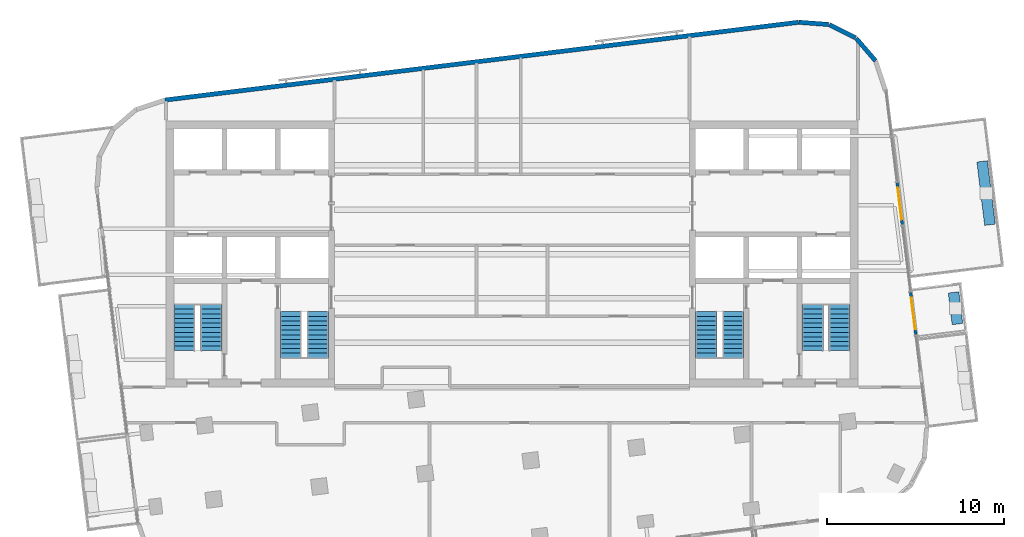
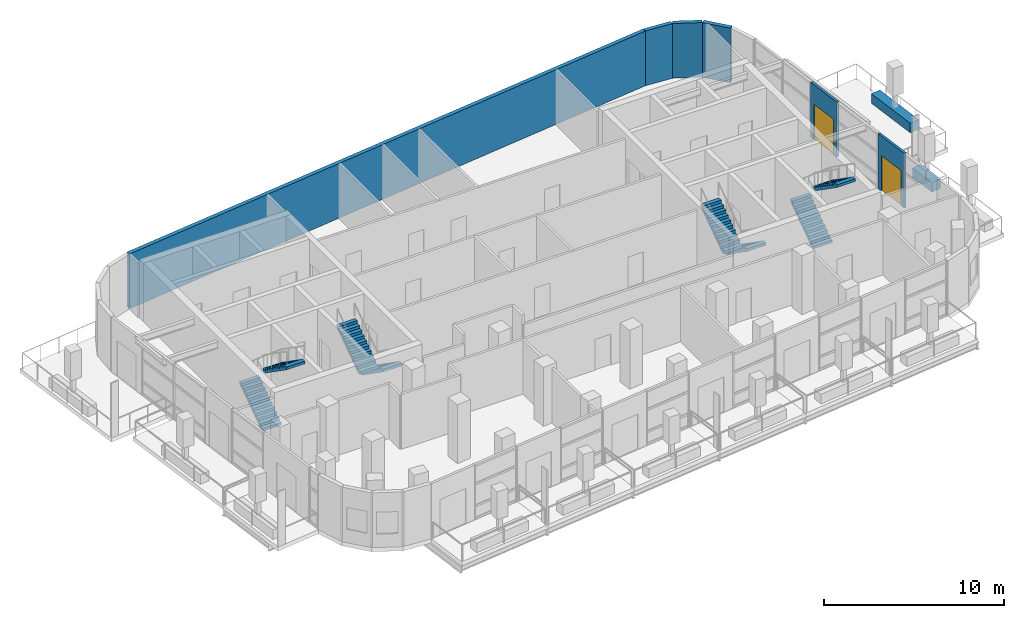
# One storey, part 10 of 14: 8 stair flights, 8 walls, 2 doors, 2 openings, 4 elements without a shape of their own.
"""IFC4 building model written with IfcOpenShell, lengths in metres."""

from ifc_helpers import new_model, si_unit, direction, frame, frame_2d, origin, place, context, subcontext, project, spatial, polyline, rectangle, outline, extrude, material, layer, layer_set, type_object, element, fill, aggregate, save


model = new_model("IFC4")

# Units and contexts
model_context = context("Model", 3, precision=1e-05, world=origin(), true_north=direction((0.0, 1.0)))
body_context = subcontext(model_context, "Body", "Model", "MODEL_VIEW")
ifc_project = project(units=[si_unit("LENGTHUNIT", "METRE"), si_unit("AREAUNIT", "SQUARE_METRE"), si_unit("VOLUMEUNIT", "CUBIC_METRE"), si_unit("PLANEANGLEUNIT", "RADIAN"), si_unit("MASSUNIT", "GRAM", prefix="KILO")], contexts=[model_context])

# Site, building, storey
site_placement = place(None, origin())
site = spatial("IfcSite", under=ifc_project, at=site_placement, CompositionType="ELEMENT")
building_placement = place(site_placement, origin())
building = spatial("IfcBuilding", under=site, at=building_placement, Name="Torana Hotel and Residences", CompositionType="ELEMENT")
storey_placement = place(building_placement, frame((0.0, 0.0, 318.60009765625)))
storey = spatial("IfcBuildingStorey", under=building, at=storey_placement, Name="L84", CompositionType="ELEMENT", Elevation=318.60009765625)

# Walls
ifc_material_1 = material(Name="Black aluminium composite panel", Category="aluminium")
ifc_layer_1 = layer(ifc_material_1, 0.00390625, Name="Cladding", Category="cladding")
ifc_material_2 = material(Name="Ventilated air cavity")
ifc_layer_2 = layer(ifc_material_2, 0.0400390625, Name="Ventilated cavity", Category="cavity")
ifc_material_3 = material(Name="Mineral wool insulation")
ifc_layer_3 = layer(ifc_material_3, 0.090087890625, Name="Insulation", Category="insulation")
ifc_material_4 = material(Name="Steel S280GD", Category="steel")
ifc_layer_4 = layer(ifc_material_4, 0.092041015625, Name="Steel stud frame", Category="structure")
ifc_material_5 = material(Name="Fire rated plasterboard")
ifc_layer_5 = layer(ifc_material_5, 0.011962890625, Name="Inner board", Category="finish")
ifc_layer_6 = layer(ifc_material_5, 0.011962890625, Name="Second board", Category="finish")
ifc_layer_set_1 = layer_set([ifc_layer_1, ifc_layer_2, ifc_layer_3, ifc_layer_4, ifc_layer_5, ifc_layer_6], Name="EW1 EXTERNAL WALL BLACK METAL CLAD 250")
wall_type_1 = type_object("IfcWallType", Name="EW1 EXTERNAL WALL BLACK METAL CLAD 250", PredefinedType="SOLIDWALL", material=ifc_layer_set_1)
for number, where, z_axis, x_axis, name in (
    (1, (20.4853515625, 3.39404296875, 0.0), (0.0, 0.0, 1.0), (-0.652755886531, 0.757568315466, 0.0), "External wall L84 e0.1"),
    (2, (19.36572265625, 4.678955078125, 0.0), (0.0, 0.0, 1.0), (-0.893007580524, 0.450041621549, 0.0), "External wall L84 e0.2"),
):
    element("IfcWall", number, at=place(storey_placement, frame(where, z_axis=z_axis, x_axis=x_axis)), inside=storey, type_object=wall_type_1, Name=name, PredefinedType="SOLIDWALL", context=body_context, shape_type="SweptSolid", body=[
        extrude(rectangle(XDim=1.65625, YDim=0.25, at=frame_2d((0.828125, 0.0))), origin(), (0.0, 0.0, 1.0), 3.719970703125),
    ])
wall_1_placement = place(storey_placement, frame((17.839599609375, 5.4375, 0.0), z_axis=(0.0, 0.0, 1.0), x_axis=(-0.997254267475, 0.074053534713, 0.0)))
element("IfcWall", 3, at=wall_1_placement, inside=storey, type_object=wall_type_1, Name="External wall L84 e0.3", PredefinedType="SOLIDWALL", context=body_context, shape_type="SweptSolid", body=[
    extrude(rectangle(XDim=1.681396484375, YDim=0.25, at=frame_2d((0.8408203125, 0.0))), origin(), (0.0, 0.0, 1.0), 3.719970703125),
])
ifc_material_6 = material(Name="Concrete C40/50 precast", Category="concrete")
ifc_layer_7 = layer(ifc_material_6, 0.10009765625, Name="Perforated block", Category="cladding")
ifc_material_7 = material(Name="Air cavity")
ifc_layer_8 = layer(ifc_material_7, 0.030029296875, Name="Cavity", Category="cavity")
ifc_material_8 = material(Name="Concrete C40/50", Category="concrete")
ifc_layer_9 = layer(ifc_material_8, 0.10009765625, Name="Wall", Category="structure")
ifc_material_9 = material(Name="Plaster and paint")
ifc_layer_10 = layer(ifc_material_9, 0.02001953125, Name="Inner finish", Category="finish")
ifc_layer_set_2 = layer_set([ifc_layer_7, ifc_layer_8, ifc_layer_9, ifc_layer_10], Name="EW2 PERFORATED BLOCK SCREEN WALL 250")
wall_type_2 = type_object("IfcWallType", Name="EW2 PERFORATED BLOCK SCREEN WALL 250", PredefinedType="SOLIDWALL", material=ifc_layer_set_2)
wall_2_placement = place(storey_placement, frame((16.13818359375, 5.561279296875, 0.0), z_axis=(0.0, 0.0, 1.0), x_axis=(-0.992546726876, -0.121864658405, 0.0)))
element("IfcWall", 4, at=wall_2_placement, inside=storey, type_object=wall_type_2, Name="External wall L84 e0.4", PredefinedType="SOLIDWALL", context=body_context, shape_type="SweptSolid", body=[
    extrude(rectangle(XDim=35.95068359375, YDim=0.25, at=frame_2d((17.975341796875, 0.0))), origin(), (0.0, 0.0, 1.0), 3.719970703125),
])

# Wall, opening, door
ifc_material_10 = material(Name="Dark glass screen in aluminium frame", Category="aluminium")
ifc_layer_11 = layer(ifc_material_10, 0.14990234375)
ifc_layer_set_3 = layer_set([ifc_layer_11], Name="GS1 GLAZED DOOR SCREEN 150")
wall_type_3 = type_object("IfcWallType", Name="GS1 GLAZED DOOR SCREEN 150", PredefinedType="USERDEFINED", material=ifc_layer_set_3)
wall_3_placement = place(storey_placement, frame((22.757080078125, -12.0380859375, 0.0), z_axis=(0.0, 0.0, 1.0), x_axis=(-0.121868445399, 0.992546261902, 0.0)))
wall_3 = element("IfcWall", 5, at=wall_3_placement, inside=storey, type_object=wall_type_3, Name="Glazed door screen L84", ObjectType="GLAZED SCREEN", PredefinedType="USERDEFINED", context=body_context, shape_type="SweptSolid", body=[
    extrude(rectangle(XDim=2.39990234375, YDim=0.14990234375, at=frame_2d((1.199951171875, 0.0))), origin(), (0.0, 0.0, 1.0), 3.719970703125),
])
opening_1_placement = place(wall_3_placement, frame((0.300048828125, 0.0, 0.0)))
opening_1 = element("IfcOpeningElement", 6, at=opening_1_placement, cuts=wall_3, Name="Opening L84-E11", PredefinedType="OPENING", context=body_context, shape_type="SweptSolid", body=[
    extrude(rectangle(XDim=1.800048828125, YDim=2.39990234375, at=frame_2d((0.89990234375, 1.199951171875))), frame((0.0, 0.0849609375, 0.0), z_axis=(0.0, -1.0, 0.0), x_axis=(1.0, 0.0, 0.0)), (0.0, 0.0, 1.0), 0.169921875),
])
ifc_material_11 = material(Name="Dark glass in black aluminium frame", Category="aluminium")
door_type = type_object("IfcDoorType", Name="DB1 BALCONY DOOR 1800x2400", OperationType="DOUBLE_DOOR_SINGLE_SWING", PredefinedType="DOOR", material=ifc_material_11)
door_1_placement = place(opening_1_placement, origin())
door_1 = element("IfcDoor", 7, at=door_1_placement, inside=storey, type_object=door_type, Name="Balcony door L84", OperationType="DOUBLE_DOOR_SINGLE_SWING", OverallHeight=2.39990234375, OverallWidth=1.800048828125, PredefinedType="DOOR", context=body_context, shape_type="SweptSolid", body=[
    extrude(rectangle(XDim=1.800048828125, YDim=2.39990234375, at=frame_2d((0.89990234375, 1.199951171875))), frame((0.0, 0.02490234375, 0.0), z_axis=(0.0, -1.0, 0.0), x_axis=(1.0, 0.0, 0.0)), (0.0, 0.0, 1.0), 0.050048828125),
])
fill(opening_1, door_1)

wall_4_placement = place(storey_placement, frame((21.99755859375, -5.853271484375, 0.0), z_axis=(0.0, 0.0, 1.0), x_axis=(-0.121868445399, 0.992546261902, 0.0)))
wall_4 = element("IfcWall", 8, at=wall_4_placement, inside=storey, type_object=wall_type_3, Name="Glazed door screen L84", ObjectType="GLAZED SCREEN", PredefinedType="USERDEFINED", context=body_context, shape_type="SweptSolid", body=[
    extrude(rectangle(XDim=2.39990234375, YDim=0.14990234375, at=frame_2d((1.199951171875, 0.0))), origin(), (0.0, 0.0, 1.0), 3.719970703125),
])
opening_2_placement = place(wall_4_placement, frame((0.300048828125, 0.0, 0.0)))
opening_2 = element("IfcOpeningElement", 9, at=opening_2_placement, cuts=wall_4, Name="Opening L84-E12", PredefinedType="OPENING", context=body_context, shape_type="SweptSolid", body=[
    extrude(rectangle(XDim=1.800048828125, YDim=2.39990234375, at=frame_2d((0.89990234375, 1.199951171875))), frame((0.0, 0.0849609375, 0.0), z_axis=(0.0, -1.0, 0.0), x_axis=(1.0, 0.0, 0.0)), (0.0, 0.0, 1.0), 0.169921875),
])
door_2_placement = place(opening_2_placement, origin())
door_2 = element("IfcDoor", 10, at=door_2_placement, inside=storey, type_object=door_type, Name="Balcony door L84", OperationType="DOUBLE_DOOR_SINGLE_SWING", OverallHeight=2.39990234375, OverallWidth=1.800048828125, PredefinedType="DOOR", context=body_context, shape_type="SweptSolid", body=[
    extrude(rectangle(XDim=1.800048828125, YDim=2.39990234375, at=frame_2d((0.89990234375, 1.199951171875))), frame((0.0, 0.02490234375, 0.0), z_axis=(0.0, -1.0, 0.0), x_axis=(1.0, 0.0, 0.0)), (0.0, 0.0, 1.0), 0.050048828125),
])
fill(opening_2, door_2)

# Walls
ifc_layer_12 = layer(ifc_material_6, 0.10009765625, Name="Planter shell", Category="structure")
ifc_material_12 = material(Name="Root resistant membrane")
ifc_layer_13 = layer(ifc_material_12, 0.00390625, Name="Waterproofing membrane", Category="membrane")
ifc_material_13 = material(Name="Drainage board with filter fleece")
ifc_layer_14 = layer(ifc_material_13, 0.02001953125, Name="Drainage board", Category="drainage")
ifc_material_14 = material(Name="Growing medium")
ifc_layer_15 = layer(ifc_material_14, 0.47607421875, Name="Planting substrate", Category="soil")
ifc_layer_set_4 = layer_set([ifc_layer_12, ifc_layer_13, ifc_layer_14, ifc_layer_15], Name="PL1 BALCONY PLANTER 600")
wall_type_4 = type_object("IfcWallType", Name="PL1 BALCONY PLANTER 600", PredefinedType="USERDEFINED", material=ifc_layer_set_4)
wall_5_placement = place(storey_placement, frame((24.88330078125, -9.66162109375, 0.0), z_axis=(0.0, 0.0, 1.0), x_axis=(0.121830336845, -0.992550940267, 0.0)))
element("IfcWall", 11, at=wall_5_placement, inside=storey, type_object=wall_type_4, Name="Planter 11", ObjectType="PLANTER", PredefinedType="USERDEFINED", context=body_context, shape_type="SweptSolid", body=[
    extrude(rectangle(XDim=1.799560546875, YDim=0.60009765625, at=frame_2d((0.89990234375, 0.0))), origin(), (0.0, 0.0, 1.0), 0.64990234375),
])
wall_6_placement = place(storey_placement, frame((26.49560546875, -2.2783203125, 0.0), z_axis=(0.0, 0.0, 1.0), x_axis=(0.121864343918, -0.992546765488, 0.0)))
element("IfcWall", 12, at=wall_6_placement, inside=storey, type_object=wall_type_4, Name="Planter 12", ObjectType="PLANTER", PredefinedType="USERDEFINED", context=body_context, shape_type="SweptSolid", body=[
    extrude(rectangle(XDim=3.60009765625, YDim=0.60009765625, at=frame_2d((1.800048828125, 0.0))), origin(), (0.0, 0.0, 1.0), 0.64990234375),
])

# Stair, stair flights
ifc_material_15 = material(Name="Concrete C40/50 precast", Category="concrete")
stair_type_1 = type_object("IfcStairType", Name="STAIR ST1 HALF TURN 1200", PredefinedType="HALF_TURN_STAIR", material=ifc_material_15)
stair_1_placement = place(storey_placement, origin())
stair_1 = element("IfcStair", 13, at=stair_1_placement, inside=storey, type_object=stair_type_1, Name="Stair ST1 L84", PredefinedType="HALF_TURN_STAIR")
ifc_material_16 = material(Name="Concrete C40/50 precast", Category="concrete")
stair_flight_type = type_object("IfcStairFlightType", Name="STAIR FLIGHT 1200 PRECAST", PredefinedType="STRAIGHT", material=ifc_material_16)
stair_flight_1_placement = place(storey_placement, frame((-10.949951171875, -10.75, 0.0), z_axis=(0.0, 0.0, 1.0), x_axis=(0.0, -1.0, 0.0)))
stair_flight_1 = element("IfcStairFlight", 14, at=stair_flight_1_placement, type_object=stair_flight_type, Name="ST1 flight 1", NumberOfRisers=11, NumberOfTreads=10, PredefinedType="STRAIGHT", RiserHeight=0.181818182, TreadLength=0.26, context=body_context, shape_type="SweptSolid", body=[
    extrude(outline(polyline([(0.0, 0.0), (0.0, 0.181884765625), (0.260009765625, 0.181884765625), (0.260009765625, 0.363525390625), (0.52001953125, 0.363525390625), (0.52001953125, 0.54541015625), (0.780029296875, 0.54541015625), (0.780029296875, 0.727294921875), (1.0400390625, 0.727294921875), (1.0400390625, 0.9091796875), (1.300048828125, 0.9091796875), (1.300048828125, 1.0908203125), (1.56005859375, 1.0908203125), (1.56005859375, 1.272705078125), (1.820068359375, 1.272705078125), (1.820068359375, 1.45458984375), (2.080078125, 1.45458984375), (2.080078125, 1.636474609375), (2.340087890625, 1.636474609375), (2.340087890625, 1.818115234375), (2.60009765625, 1.818115234375), (2.60009765625, 2.0), (2.60009765625, 1.63525390625), (0.261474609375, 0.0), (0.0, 0.0)])), frame((0.0, 0.60009765625, 0.0), z_axis=(0.0, -1.0, 0.0), x_axis=(1.0, 0.0, 0.0)), (0.0, 0.0, 1.0), 1.199951171875),
])
stair_flight_2_placement = place(storey_placement, frame((-12.449951171875, -13.35009765625, 2.0), z_axis=(0.0, 0.0, 1.0), x_axis=(0.0, 1.0, 0.0)))
stair_flight_2 = element("IfcStairFlight", 15, at=stair_flight_2_placement, type_object=stair_flight_type, Name="ST1 flight 2", NumberOfRisers=11, NumberOfTreads=10, PredefinedType="STRAIGHT", RiserHeight=0.181818182, TreadLength=0.26, context=body_context, shape_type="SweptSolid", body=[
    extrude(outline(polyline([(0.0, 0.0), (0.0, 0.181884765625), (0.260009765625, 0.181884765625), (0.260009765625, 0.363525390625), (0.52001953125, 0.363525390625), (0.52001953125, 0.54541015625), (0.780029296875, 0.54541015625), (0.780029296875, 0.727294921875), (1.0400390625, 0.727294921875), (1.0400390625, 0.9091796875), (1.300048828125, 0.9091796875), (1.300048828125, 1.0908203125), (1.56005859375, 1.0908203125), (1.56005859375, 1.272705078125), (1.820068359375, 1.272705078125), (1.820068359375, 1.45458984375), (2.080078125, 1.45458984375), (2.080078125, 1.636474609375), (2.340087890625, 1.636474609375), (2.340087890625, 1.818115234375), (2.60009765625, 1.818115234375), (2.60009765625, 2.0), (2.60009765625, 1.63525390625), (0.261474609375, 0.0), (0.0, 0.0)])), frame((0.0, 0.60009765625, 0.0), z_axis=(0.0, -1.0, 0.0), x_axis=(1.0, 0.0, 0.0)), (0.0, 0.0, 1.0), 1.199951171875),
])
aggregate(stair_1, [stair_flight_1, stair_flight_2])

ifc_material_17 = material(Name="Concrete C40/50 precast", Category="concrete")
stair_type_2 = type_object("IfcStairType", Name="STAIR ST2 HALF TURN 1200", PredefinedType="HALF_TURN_STAIR", material=ifc_material_17)
stair_2_placement = place(storey_placement, origin())
stair_2 = element("IfcStair", 16, at=stair_2_placement, inside=storey, type_object=stair_type_2, Name="Stair ST2 L84", PredefinedType="HALF_TURN_STAIR")
stair_flight_3_placement = place(storey_placement, frame((-18.449951171875, -12.949951171875, 0.0), z_axis=(0.0, 0.0, 1.0), x_axis=(0.0, 1.0, 0.0)))
stair_flight_3 = element("IfcStairFlight", 17, at=stair_flight_3_placement, type_object=stair_flight_type, Name="ST2 flight 1", NumberOfRisers=11, NumberOfTreads=10, PredefinedType="STRAIGHT", RiserHeight=0.181818182, TreadLength=0.26, context=body_context, shape_type="SweptSolid", body=[
    extrude(outline(polyline([(0.0, 0.0), (0.0, 0.181884765625), (0.260009765625, 0.181884765625), (0.260009765625, 0.363525390625), (0.52001953125, 0.363525390625), (0.52001953125, 0.54541015625), (0.780029296875, 0.54541015625), (0.780029296875, 0.727294921875), (1.0400390625, 0.727294921875), (1.0400390625, 0.9091796875), (1.300048828125, 0.9091796875), (1.300048828125, 1.0908203125), (1.56005859375, 1.0908203125), (1.56005859375, 1.272705078125), (1.820068359375, 1.272705078125), (1.820068359375, 1.45458984375), (2.080078125, 1.45458984375), (2.080078125, 1.636474609375), (2.340087890625, 1.636474609375), (2.340087890625, 1.818115234375), (2.60009765625, 1.818115234375), (2.60009765625, 2.0), (2.60009765625, 1.63525390625), (0.261474609375, 0.0), (0.0, 0.0)])), frame((0.0, 0.60009765625, 0.0), z_axis=(0.0, -1.0, 0.0), x_axis=(1.0, 0.0, 0.0)), (0.0, 0.0, 1.0), 1.199951171875),
])
stair_flight_4_placement = place(storey_placement, frame((-16.949951171875, -10.35009765625, 2.0), z_axis=(0.0, 0.0, 1.0), x_axis=(0.0, -1.0, 0.0)))
stair_flight_4 = element("IfcStairFlight", 18, at=stair_flight_4_placement, type_object=stair_flight_type, Name="ST2 flight 2", NumberOfRisers=11, NumberOfTreads=10, PredefinedType="STRAIGHT", RiserHeight=0.181818182, TreadLength=0.26, context=body_context, shape_type="SweptSolid", body=[
    extrude(outline(polyline([(0.0, 0.0), (0.0, 0.181884765625), (0.260009765625, 0.181884765625), (0.260009765625, 0.363525390625), (0.52001953125, 0.363525390625), (0.52001953125, 0.54541015625), (0.780029296875, 0.54541015625), (0.780029296875, 0.727294921875), (1.0400390625, 0.727294921875), (1.0400390625, 0.9091796875), (1.300048828125, 0.9091796875), (1.300048828125, 1.0908203125), (1.56005859375, 1.0908203125), (1.56005859375, 1.272705078125), (1.820068359375, 1.272705078125), (1.820068359375, 1.45458984375), (2.080078125, 1.45458984375), (2.080078125, 1.636474609375), (2.340087890625, 1.636474609375), (2.340087890625, 1.818115234375), (2.60009765625, 1.818115234375), (2.60009765625, 2.0), (2.60009765625, 1.63525390625), (0.261474609375, 0.0), (0.0, 0.0)])), frame((0.0, 0.60009765625, 0.0), z_axis=(0.0, -1.0, 0.0), x_axis=(1.0, 0.0, 0.0)), (0.0, 0.0, 1.0), 1.199951171875),
])
aggregate(stair_2, [stair_flight_3, stair_flight_4])

ifc_material_18 = material(Name="Concrete C40/50 precast", Category="concrete")
stair_type_3 = type_object("IfcStairType", Name="STAIR ST3 HALF TURN 1200", PredefinedType="HALF_TURN_STAIR", material=ifc_material_18)
stair_3_placement = place(storey_placement, origin())
stair_3 = element("IfcStair", 19, at=stair_3_placement, inside=storey, type_object=stair_type_3, Name="Stair ST3 L84", PredefinedType="HALF_TURN_STAIR")
stair_flight_5_placement = place(storey_placement, frame((12.449951171875, -10.75, 0.0), z_axis=(0.0, 0.0, 1.0), x_axis=(0.0, -1.0, 0.0)))
stair_flight_5 = element("IfcStairFlight", 20, at=stair_flight_5_placement, type_object=stair_flight_type, Name="ST3 flight 1", NumberOfRisers=11, NumberOfTreads=10, PredefinedType="STRAIGHT", RiserHeight=0.181818182, TreadLength=0.26, context=body_context, shape_type="SweptSolid", body=[
    extrude(outline(polyline([(0.0, 0.0), (0.0, 0.181884765625), (0.260009765625, 0.181884765625), (0.260009765625, 0.363525390625), (0.52001953125, 0.363525390625), (0.52001953125, 0.54541015625), (0.780029296875, 0.54541015625), (0.780029296875, 0.727294921875), (1.0400390625, 0.727294921875), (1.0400390625, 0.9091796875), (1.300048828125, 0.9091796875), (1.300048828125, 1.0908203125), (1.56005859375, 1.0908203125), (1.56005859375, 1.272705078125), (1.820068359375, 1.272705078125), (1.820068359375, 1.45458984375), (2.080078125, 1.45458984375), (2.080078125, 1.636474609375), (2.340087890625, 1.636474609375), (2.340087890625, 1.818115234375), (2.60009765625, 1.818115234375), (2.60009765625, 2.0), (2.60009765625, 1.63525390625), (0.261474609375, 0.0), (0.0, 0.0)])), frame((0.0, 0.60009765625, 0.0), z_axis=(0.0, -1.0, 0.0), x_axis=(1.0, 0.0, 0.0)), (0.0, 0.0, 1.0), 1.199951171875),
])
stair_flight_6_placement = place(storey_placement, frame((10.949951171875, -13.35009765625, 2.0), z_axis=(0.0, 0.0, 1.0), x_axis=(0.0, 1.0, 0.0)))
stair_flight_6 = element("IfcStairFlight", 21, at=stair_flight_6_placement, type_object=stair_flight_type, Name="ST3 flight 2", NumberOfRisers=11, NumberOfTreads=10, PredefinedType="STRAIGHT", RiserHeight=0.181818182, TreadLength=0.26, context=body_context, shape_type="SweptSolid", body=[
    extrude(outline(polyline([(0.0, 0.0), (0.0, 0.181884765625), (0.260009765625, 0.181884765625), (0.260009765625, 0.363525390625), (0.52001953125, 0.363525390625), (0.52001953125, 0.54541015625), (0.780029296875, 0.54541015625), (0.780029296875, 0.727294921875), (1.0400390625, 0.727294921875), (1.0400390625, 0.9091796875), (1.300048828125, 0.9091796875), (1.300048828125, 1.0908203125), (1.56005859375, 1.0908203125), (1.56005859375, 1.272705078125), (1.820068359375, 1.272705078125), (1.820068359375, 1.45458984375), (2.080078125, 1.45458984375), (2.080078125, 1.636474609375), (2.340087890625, 1.636474609375), (2.340087890625, 1.818115234375), (2.60009765625, 1.818115234375), (2.60009765625, 2.0), (2.60009765625, 1.63525390625), (0.261474609375, 0.0), (0.0, 0.0)])), frame((0.0, 0.60009765625, 0.0), z_axis=(0.0, -1.0, 0.0), x_axis=(1.0, 0.0, 0.0)), (0.0, 0.0, 1.0), 1.199951171875),
])
aggregate(stair_3, [stair_flight_5, stair_flight_6])

ifc_material_19 = material(Name="Concrete C40/50 precast", Category="concrete")
stair_type_4 = type_object("IfcStairType", Name="STAIR ST4 HALF TURN 1200", PredefinedType="HALF_TURN_STAIR", material=ifc_material_19)
stair_4_placement = place(storey_placement, origin())
stair_4 = element("IfcStair", 22, at=stair_4_placement, inside=storey, type_object=stair_type_4, Name="Stair ST4 L84", PredefinedType="HALF_TURN_STAIR")
stair_flight_7_placement = place(storey_placement, frame((16.949951171875, -12.949951171875, 0.0), z_axis=(0.0, 0.0, 1.0), x_axis=(0.0, 1.0, 0.0)))
stair_flight_7 = element("IfcStairFlight", 23, at=stair_flight_7_placement, type_object=stair_flight_type, Name="ST4 flight 1", NumberOfRisers=11, NumberOfTreads=10, PredefinedType="STRAIGHT", RiserHeight=0.181818182, TreadLength=0.26, context=body_context, shape_type="SweptSolid", body=[
    extrude(outline(polyline([(0.0, 0.0), (0.0, 0.181884765625), (0.260009765625, 0.181884765625), (0.260009765625, 0.363525390625), (0.52001953125, 0.363525390625), (0.52001953125, 0.54541015625), (0.780029296875, 0.54541015625), (0.780029296875, 0.727294921875), (1.0400390625, 0.727294921875), (1.0400390625, 0.9091796875), (1.300048828125, 0.9091796875), (1.300048828125, 1.0908203125), (1.56005859375, 1.0908203125), (1.56005859375, 1.272705078125), (1.820068359375, 1.272705078125), (1.820068359375, 1.45458984375), (2.080078125, 1.45458984375), (2.080078125, 1.636474609375), (2.340087890625, 1.636474609375), (2.340087890625, 1.818115234375), (2.60009765625, 1.818115234375), (2.60009765625, 2.0), (2.60009765625, 1.63525390625), (0.261474609375, 0.0), (0.0, 0.0)])), frame((0.0, 0.60009765625, 0.0), z_axis=(0.0, -1.0, 0.0), x_axis=(1.0, 0.0, 0.0)), (0.0, 0.0, 1.0), 1.199951171875),
])
stair_flight_8_placement = place(storey_placement, frame((18.449951171875, -10.35009765625, 2.0), z_axis=(0.0, 0.0, 1.0), x_axis=(0.0, -1.0, 0.0)))
stair_flight_8 = element("IfcStairFlight", 24, at=stair_flight_8_placement, type_object=stair_flight_type, Name="ST4 flight 2", NumberOfRisers=11, NumberOfTreads=10, PredefinedType="STRAIGHT", RiserHeight=0.181818182, TreadLength=0.26, context=body_context, shape_type="SweptSolid", body=[
    extrude(outline(polyline([(0.0, 0.0), (0.0, 0.181884765625), (0.260009765625, 0.181884765625), (0.260009765625, 0.363525390625), (0.52001953125, 0.363525390625), (0.52001953125, 0.54541015625), (0.780029296875, 0.54541015625), (0.780029296875, 0.727294921875), (1.0400390625, 0.727294921875), (1.0400390625, 0.9091796875), (1.300048828125, 0.9091796875), (1.300048828125, 1.0908203125), (1.56005859375, 1.0908203125), (1.56005859375, 1.272705078125), (1.820068359375, 1.272705078125), (1.820068359375, 1.45458984375), (2.080078125, 1.45458984375), (2.080078125, 1.636474609375), (2.340087890625, 1.636474609375), (2.340087890625, 1.818115234375), (2.60009765625, 1.818115234375), (2.60009765625, 2.0), (2.60009765625, 1.63525390625), (0.261474609375, 0.0), (0.0, 0.0)])), frame((0.0, 0.60009765625, 0.0), z_axis=(0.0, -1.0, 0.0), x_axis=(1.0, 0.0, 0.0)), (0.0, 0.0, 1.0), 1.199951171875),
])
aggregate(stair_4, [stair_flight_7, stair_flight_8])

save(model, "model.ifc")
